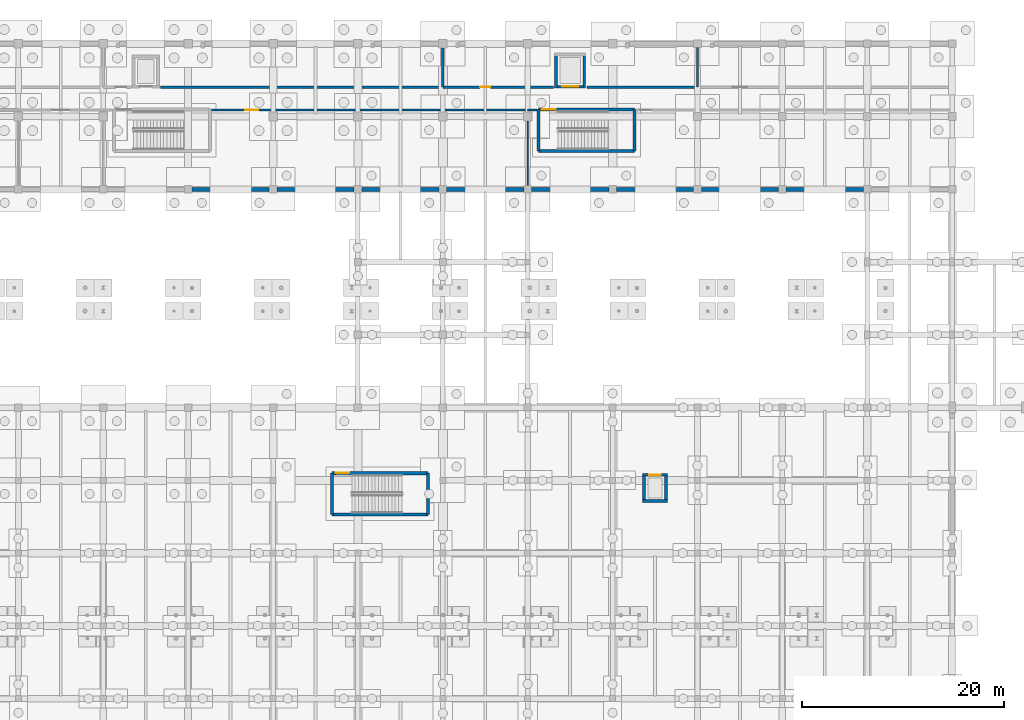
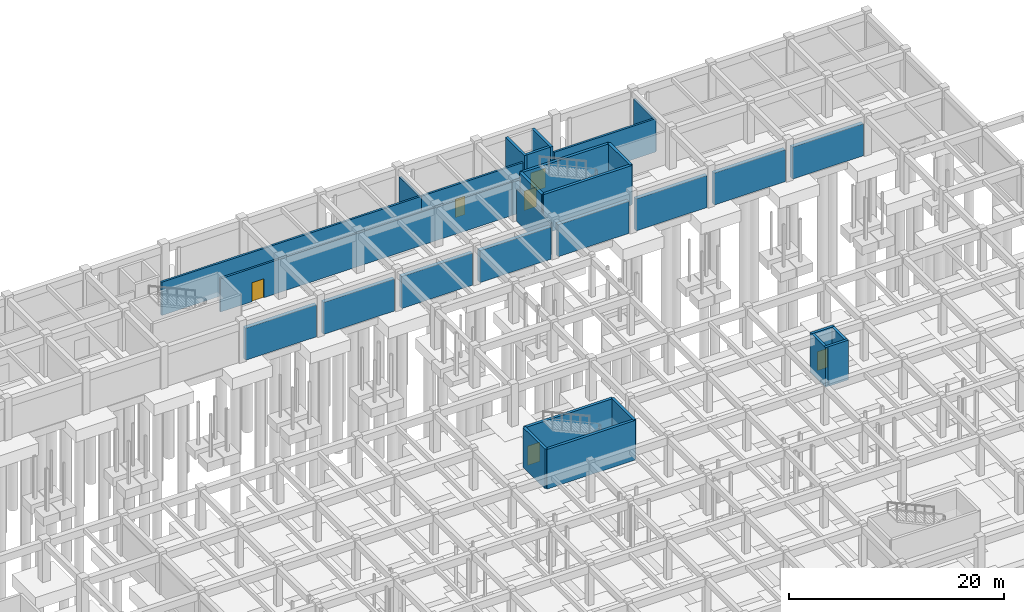
# One storey, part 62 of 80: 31 walls, 6 doors, 6 openings.
"""IFC4 building model written with IfcOpenShell, lengths in metres."""

from ifc_helpers import new_model, si_unit, direction, frame, frame_2d, origin, place, context, subcontext, project, spatial, rectangle, extrude, material, layer, layer_set, type_object, element, fill, save


model = new_model("IFC4")

# Units and contexts
model_context = context("Model", 3, precision=1e-05, world=origin(), true_north=direction((0.0, 1.0)))
body_context = subcontext(model_context, "Body", "Model", "MODEL_VIEW")
ifc_project = project(units=[si_unit("LENGTHUNIT", "METRE"), si_unit("AREAUNIT", "SQUARE_METRE"), si_unit("VOLUMEUNIT", "CUBIC_METRE"), si_unit("PLANEANGLEUNIT", "RADIAN"), si_unit("MASSUNIT", "GRAM", prefix="KILO")], contexts=[model_context])

# Site, building, storey
site_placement = place(None, origin())
site = spatial("IfcSite", under=ifc_project, at=site_placement, CompositionType="ELEMENT")
building_placement = place(site_placement, origin())
building = spatial("IfcBuilding", under=site, at=building_placement, Name="Malvenik Polytechnic", CompositionType="ELEMENT")
storey_placement = place(building_placement, frame((0.0, 0.0, -4.800048828125)))
storey = spatial("IfcBuildingStorey", under=building, at=storey_placement, Name="B1", CompositionType="ELEMENT", Elevation=-4.800048828125)

# Wall, opening, door
ifc_material_1 = material(Name="Concrete C35/45", Category="concrete")
ifc_layer_1 = layer(ifc_material_1, 0.280029296875)
ifc_layer_set_1 = layer_set([ifc_layer_1], Name="Concrete C35/45")
wall_type_1 = type_object("IfcWallType", Name="ARC-CW-S280", PredefinedType="SHEAR", material=ifc_layer_set_1)
wall_1_placement = place(storey_placement, frame((98.139892578125, 125.35009765625, 0.0), z_axis=(0.0, 0.0, 1.0), x_axis=(-1.0, 0.0, 0.0)))
wall_1 = element("IfcWall", 1, at=wall_1_placement, inside=storey, type_object=wall_type_1, Name="Lift Shaft Shear Wall LG-01 B1 -Y", PredefinedType="SHEAR", context=body_context, shape_type="SweptSolid", body=[
    extrude(rectangle(XDim=3.079833984375, YDim=0.280029296875, at=frame_2d((1.5400390625, 0.0))), origin(), (0.0, 0.0, 1.0), 4.5),
])
opening_1_placement = place(wall_1_placement, frame((0.739990234375, 0.0, 0.0)))
opening_1 = element("IfcOpeningElement", 2, at=opening_1_placement, cuts=wall_1, Name="Opening LD-03", PredefinedType="OPENING", context=body_context, shape_type="SweptSolid", body=[
    extrude(rectangle(XDim=1.60009765625, YDim=2.199951171875, at=frame_2d((0.800048828125, 1.10009765625))), frame((0.0, 0.14990234375, 0.0), z_axis=(0.0, -1.0, 0.0), x_axis=(1.0, 0.0, 0.0)), (0.0, 0.0, 1.0), 0.300048828125),
])
ifc_material_2 = material(Name="Stainless steel fire-rated sliding lift landing door", Category="steel")
door_type_1 = type_object("IfcDoorType", Name="ARC-LDR-LD-03", OperationType="NOTDEFINED", PredefinedType="DOOR", material=ifc_material_2)
door_1_placement = place(opening_1_placement, origin())
door_1 = element("IfcDoor", 3, at=door_1_placement, inside=storey, type_object=door_type_1, Name="Lift Sliding Landing Door LG-01 B1", OperationType="DOUBLE_DOOR_SLIDING", OverallHeight=2.199951171875, OverallWidth=1.60009765625, PredefinedType="DOOR", context=body_context, shape_type="SweptSolid", body=[
    extrude(rectangle(XDim=1.60009765625, YDim=2.199951171875, at=frame_2d((0.800048828125, 1.10009765625))), frame((0.0, 0.02490234375, 0.0), z_axis=(0.0, -1.0, 0.0), x_axis=(1.0, 0.0, 0.0)), (0.0, 0.0, 1.0), 0.050048828125),
])
fill(opening_1, door_1)

# Walls
for number, where, z_axis, x_axis, name in (
    (4, (95.199951171875, 125.2099609375, 0.0), (0.0, 0.0, 1.0), (0.0, 1.0, 0.0), "Lift Shaft Shear Wall LG-01 B1 -X"),
    (5, (98.0, 128.68994140625, 0.0), (0.0, 0.0, 1.0), (0.0, -1.0, 0.0), "Lift Shaft Shear Wall LG-01 B1 +X"),
):
    element("IfcWall", number, at=place(storey_placement, frame(where, z_axis=z_axis, x_axis=x_axis)), inside=storey, type_object=wall_type_1, Name=name, PredefinedType="SHEAR", context=body_context, shape_type="SweptSolid", body=[
        extrude(rectangle(XDim=3.47998046875, YDim=0.280029296875, at=frame_2d((1.739990234375, 0.0))), origin(), (0.0, 0.0, 1.0), 4.5),
    ])
wall_2_placement = place(storey_placement, frame((106.239990234375, 84.35009765625, 0.0), z_axis=(0.0, 0.0, 1.0), x_axis=(-1.0, 0.0, 0.0)))
element("IfcWall", 6, at=wall_2_placement, inside=storey, type_object=wall_type_1, Name="Lift Shaft Shear Wall LP-02 B1 -Y", PredefinedType="SHEAR", context=body_context, shape_type="SweptSolid", body=[
    extrude(rectangle(XDim=2.47998046875, YDim=0.280029296875, at=frame_2d((1.239990234375, 0.0))), origin(), (0.0, 0.0, 1.0), 4.5),
])

# Wall, opening, door
wall_3_placement = place(storey_placement, frame((103.760009765625, 86.949951171875, 0.0), z_axis=(0.0, 0.0, 1.0), x_axis=(1.0, 0.0, 0.0)))
wall_3 = element("IfcWall", 7, at=wall_3_placement, inside=storey, type_object=wall_type_1, Name="Lift Shaft Shear Wall LP-02 B1 +Y", PredefinedType="SHEAR", context=body_context, shape_type="SweptSolid", body=[
    extrude(rectangle(XDim=2.47998046875, YDim=0.280029296875, at=frame_2d((1.239990234375, 0.0))), origin(), (0.0, 0.0, 1.0), 4.5),
])
opening_2_placement = place(wall_3_placement, frame((0.68994140625, 0.0, 0.0)))
opening_2 = element("IfcOpeningElement", 8, at=opening_2_placement, cuts=wall_3, Name="Opening LD-01", PredefinedType="OPENING", context=body_context, shape_type="SweptSolid", body=[
    extrude(rectangle(XDim=1.10009765625, YDim=2.14990234375, at=frame_2d((0.550048828125, 1.074951171875))), frame((0.0, 0.14990234375, 0.0), z_axis=(0.0, -1.0, 0.0), x_axis=(1.0, 0.0, 0.0)), (0.0, 0.0, 1.0), 0.300048828125),
])
door_type_2 = type_object("IfcDoorType", Name="ARC-LDR-LD-01", OperationType="NOTDEFINED", PredefinedType="DOOR", material=ifc_material_2)
door_2_placement = place(opening_2_placement, origin())
door_2 = element("IfcDoor", 9, at=door_2_placement, inside=storey, type_object=door_type_2, Name="Lift Sliding Landing Door LP-02 B1", OperationType="DOUBLE_DOOR_SLIDING", OverallHeight=2.14990234375, OverallWidth=1.10009765625, PredefinedType="DOOR", context=body_context, shape_type="SweptSolid", body=[
    extrude(rectangle(XDim=1.10009765625, YDim=2.14990234375, at=frame_2d((0.550048828125, 1.074951171875))), frame((0.0, 0.02490234375, 0.0), z_axis=(0.0, -1.0, 0.0), x_axis=(1.0, 0.0, 0.0)), (0.0, 0.0, 1.0), 0.050048828125),
])
fill(opening_2, door_2)

# Walls
for number, where, z_axis, x_axis, name in (
    (10, (103.89990234375, 84.2099609375, 0.0), (0.0, 0.0, 1.0), (0.0, 1.0, 0.0), "Lift Shaft Shear Wall LP-02 B1 -X"),
    (11, (106.10009765625, 87.090087890625, 0.0), (0.0, 0.0, 1.0), (0.0, -1.0, 0.0), "Lift Shaft Shear Wall LP-02 B1 +X"),
):
    element("IfcWall", number, at=place(storey_placement, frame(where, z_axis=z_axis, x_axis=x_axis)), inside=storey, type_object=wall_type_1, Name=name, PredefinedType="SHEAR", context=body_context, shape_type="SweptSolid", body=[
        extrude(rectangle(XDim=2.880126953125, YDim=0.280029296875, at=frame_2d((1.43994140625, 0.0))), origin(), (0.0, 0.0, 1.0), 4.5),
    ])
ifc_layer_2 = layer(ifc_material_1, 0.300048828125)
ifc_layer_set_2 = layer_set([ifc_layer_2], Name="Concrete C35/45")
wall_type_2 = type_object("IfcWallType", Name="ARC-CW-S300", PredefinedType="SHEAR", material=ifc_layer_set_2)
wall_4_placement = place(storey_placement, frame((93.449951171875, 119.0, 0.0), z_axis=(0.0, 0.0, 1.0), x_axis=(0.0, 1.0, 0.0)))
element("IfcWall", 12, at=wall_4_placement, inside=storey, type_object=wall_type_2, Name="Stair Core Shear Wall ST-03 B1 NEAR", PredefinedType="SHEAR", context=body_context, shape_type="SweptSolid", body=[
    extrude(rectangle(XDim=4.10009765625, YDim=0.300048828125, at=frame_2d((2.050048828125, 0.0))), origin(), (0.0, 0.0, 1.0), 4.5),
])

# Wall, opening, door
wall_5_placement = place(storey_placement, frame((93.449951171875, 123.10009765625, 0.0), z_axis=(0.0, 0.0, 1.0), x_axis=(1.0, 0.0, 0.0)))
wall_5 = element("IfcWall", 13, at=wall_5_placement, inside=storey, type_object=wall_type_2, Name="Stair Core Shear Wall ST-03 B1 RGHT", PredefinedType="SHEAR", context=body_context, shape_type="SweptSolid", body=[
    extrude(rectangle(XDim=9.5, YDim=0.300048828125, at=frame_2d((4.75, 0.0))), origin(), (0.0, 0.0, 1.0), 4.5),
])
opening_3_placement = place(wall_5_placement, frame((0.35009765625, 0.0, 0.0)))
opening_3 = element("IfcOpeningElement", 14, at=opening_3_placement, cuts=wall_5, Name="Opening SD-01", PredefinedType="OPENING", context=body_context, shape_type="SweptSolid", body=[
    extrude(rectangle(XDim=1.35009765625, YDim=2.199951171875, at=frame_2d((0.675048828125, 1.10009765625))), frame((0.0, 0.16015625, 0.0), z_axis=(0.0, -1.0, 0.0), x_axis=(1.0, 0.0, 0.0)), (0.0, 0.0, 1.0), 0.320068359375),
])
ifc_material_3 = material(Name="Fire-rated steel stair enclosure door", Category="steel")
door_type_3 = type_object("IfcDoorType", Name="ARC-IDR-SD-01", OperationType="NOTDEFINED", PredefinedType="DOOR", material=ifc_material_3)
door_3_placement = place(opening_3_placement, origin())
door_3 = element("IfcDoor", 15, at=door_3_placement, inside=storey, type_object=door_type_3, Name="Fire Stair Door ST-03 B1", OperationType="SINGLE_SWING_RIGHT", OverallHeight=2.199951171875, OverallWidth=1.35009765625, PredefinedType="DOOR", context=body_context, shape_type="SweptSolid", body=[
    extrude(rectangle(XDim=1.35009765625, YDim=2.199951171875, at=frame_2d((0.675048828125, 1.10009765625))), frame((0.0, 0.02490234375, 0.0), z_axis=(0.0, -1.0, 0.0), x_axis=(1.0, 0.0, 0.0)), (0.0, 0.0, 1.0), 0.050048828125),
])
fill(opening_3, door_3)

# Walls
wall_6_placement = place(storey_placement, frame((102.949951171875, 123.10009765625, 0.0), z_axis=(0.0, 0.0, 1.0), x_axis=(0.0, -1.0, 0.0)))
element("IfcWall", 16, at=wall_6_placement, inside=storey, type_object=wall_type_2, Name="Stair Core Shear Wall ST-03 B1 FAR", PredefinedType="SHEAR", context=body_context, shape_type="SweptSolid", body=[
    extrude(rectangle(XDim=4.10009765625, YDim=0.300048828125, at=frame_2d((2.050048828125, 0.0))), origin(), (0.0, 0.0, 1.0), 4.5),
])
wall_7_placement = place(storey_placement, frame((102.949951171875, 119.0, 0.0), z_axis=(0.0, 0.0, 1.0), x_axis=(-1.0, 0.0, 0.0)))
element("IfcWall", 17, at=wall_7_placement, inside=storey, type_object=wall_type_2, Name="Stair Core Shear Wall ST-03 B1 LEFT", PredefinedType="SHEAR", context=body_context, shape_type="SweptSolid", body=[
    extrude(rectangle(XDim=9.5, YDim=0.300048828125, at=frame_2d((4.75, 0.0))), origin(), (0.0, 0.0, 1.0), 4.5),
])
wall_8_placement = place(storey_placement, frame((73.050048828125, 83.0, 0.0), z_axis=(0.0, 0.0, 1.0), x_axis=(0.0, 1.0, 0.0)))
element("IfcWall", 18, at=wall_8_placement, inside=storey, type_object=wall_type_2, Name="Stair Core Shear Wall ST-05 B1 NEAR", PredefinedType="SHEAR", context=body_context, shape_type="SweptSolid", body=[
    extrude(rectangle(XDim=4.10009765625, YDim=0.300048828125, at=frame_2d((2.050048828125, 0.0))), origin(), (0.0, 0.0, 1.0), 4.5),
])

# Wall, opening, door
wall_9_placement = place(storey_placement, frame((73.050048828125, 87.10009765625, 0.0), z_axis=(0.0, 0.0, 1.0), x_axis=(1.0, 0.0, 0.0)))
wall_9 = element("IfcWall", 19, at=wall_9_placement, inside=storey, type_object=wall_type_2, Name="Stair Core Shear Wall ST-05 B1 RGHT", PredefinedType="SHEAR", context=body_context, shape_type="SweptSolid", body=[
    extrude(rectangle(XDim=9.5, YDim=0.300048828125, at=frame_2d((4.75, 0.0))), origin(), (0.0, 0.0, 1.0), 4.5),
])
opening_4_placement = place(wall_9_placement, frame((0.35009765625, 0.0, 0.0)))
opening_4 = element("IfcOpeningElement", 20, at=opening_4_placement, cuts=wall_9, Name="Opening SD-01", PredefinedType="OPENING", context=body_context, shape_type="SweptSolid", body=[
    extrude(rectangle(XDim=1.35009765625, YDim=2.199951171875, at=frame_2d((0.675048828125, 1.10009765625))), frame((0.0, 0.16015625, 0.0), z_axis=(0.0, -1.0, 0.0), x_axis=(1.0, 0.0, 0.0)), (0.0, 0.0, 1.0), 0.320068359375),
])
door_4_placement = place(opening_4_placement, origin())
door_4 = element("IfcDoor", 21, at=door_4_placement, inside=storey, type_object=door_type_3, Name="Fire Stair Door ST-05 B1", OperationType="SINGLE_SWING_LEFT", OverallHeight=2.199951171875, OverallWidth=1.35009765625, PredefinedType="DOOR", context=body_context, shape_type="SweptSolid", body=[
    extrude(rectangle(XDim=1.35009765625, YDim=2.199951171875, at=frame_2d((0.675048828125, 1.10009765625))), frame((0.0, 0.02490234375, 0.0), z_axis=(0.0, -1.0, 0.0), x_axis=(1.0, 0.0, 0.0)), (0.0, 0.0, 1.0), 0.050048828125),
])
fill(opening_4, door_4)

# Walls
wall_10_placement = place(storey_placement, frame((82.550048828125, 87.10009765625, 0.0), z_axis=(0.0, 0.0, 1.0), x_axis=(0.0, -1.0, 0.0)))
element("IfcWall", 22, at=wall_10_placement, inside=storey, type_object=wall_type_2, Name="Stair Core Shear Wall ST-05 B1 FAR", PredefinedType="SHEAR", context=body_context, shape_type="SweptSolid", body=[
    extrude(rectangle(XDim=4.10009765625, YDim=0.300048828125, at=frame_2d((2.050048828125, 0.0))), origin(), (0.0, 0.0, 1.0), 4.5),
])
wall_11_placement = place(storey_placement, frame((82.550048828125, 83.0, 0.0), z_axis=(0.0, 0.0, 1.0), x_axis=(-1.0, 0.0, 0.0)))
element("IfcWall", 23, at=wall_11_placement, inside=storey, type_object=wall_type_2, Name="Stair Core Shear Wall ST-05 B1 LEFT", PredefinedType="SHEAR", context=body_context, shape_type="SweptSolid", body=[
    extrude(rectangle(XDim=9.5, YDim=0.300048828125, at=frame_2d((4.75, 0.0))), origin(), (0.0, 0.0, 1.0), 4.5),
])
ifc_material_4 = material(Name="Autoclaved aerated concrete blockwork 220mm", Category="masonry")
ifc_layer_3 = layer(ifc_material_4, 0.219970703125)
ifc_layer_set_3 = layer_set([ifc_layer_3], Name="Autoclaved aerated concrete blockwork 220mm")
wall_type_3 = type_object("IfcWallType", Name="ARC-FW-220", PredefinedType="SOLIDWALL", material=ifc_layer_set_3)
wall_12_placement = place(storey_placement, frame((56.070068359375, 125.300048828125, 0.0), z_axis=(0.0, 0.0, 1.0), x_axis=(1.0, 0.0, 0.0)))
element("IfcWall", 24, at=wall_12_placement, inside=storey, type_object=wall_type_3, Name="Interior Partition FW-01 B1 #7", PredefinedType="SOLIDWALL", context=body_context, shape_type="SweptSolid", body=[
    extrude(rectangle(XDim=27.929931640625, YDim=0.219970703125, at=frame_2d((13.96484375, 0.0))), origin(), (0.0, 0.0, 1.0), 3.78515625),
])
wall_13_placement = place(storey_placement, frame((84.0, 125.300048828125, 0.0), z_axis=(0.0, 0.0, 1.0), x_axis=(0.0, 1.0, 0.0)))
element("IfcWall", 25, at=wall_13_placement, inside=storey, type_object=wall_type_3, Name="Interior Partition FW-01 B1 #8", PredefinedType="SOLIDWALL", context=body_context, shape_type="SweptSolid", body=[
    extrude(rectangle(XDim=3.85498046875, YDim=0.219970703125, at=frame_2d((1.927490234375, 0.0))), origin(), (0.0, 0.0, 1.0), 3.635009765625),
])

# Wall, opening, door
wall_14_placement = place(storey_placement, frame((84.0, 125.300048828125, 0.0), z_axis=(0.0, 0.0, 1.0), x_axis=(1.0, 0.0, 0.0)))
wall_14 = element("IfcWall", 26, at=wall_14_placement, inside=storey, type_object=wall_type_3, Name="Interior Partition FW-01 B1 #9", PredefinedType="SOLIDWALL", context=body_context, shape_type="SweptSolid", body=[
    extrude(rectangle(XDim=10.929931640625, YDim=0.219970703125, at=frame_2d((5.46484375, 0.0))), origin(), (0.0, 0.0, 1.0), 3.78515625),
])
opening_5_placement = place(wall_14_placement, frame((3.699951171875, 0.0, 0.0)))
opening_5 = element("IfcOpeningElement", 27, at=opening_5_placement, cuts=wall_14, Name="Opening FD-07", PredefinedType="OPENING", context=body_context, shape_type="SweptSolid", body=[
    extrude(rectangle(XDim=1.0, YDim=2.10009765625, at=frame_2d((0.5, 1.050048828125))), frame((0.0, 0.1201171875, 0.0), z_axis=(0.0, -1.0, 0.0), x_axis=(1.0, 0.0, 0.0)), (0.0, 0.0, 1.0), 0.239990234375),
])
ifc_material_5 = material(Name="Fire-rated washroom corridor door", Category="steel")
door_type_4 = type_object("IfcDoorType", Name="ARC-IDR-FD-07", OperationType="NOTDEFINED", PredefinedType="DOOR", material=ifc_material_5)
door_5_placement = place(opening_5_placement, origin())
door_5 = element("IfcDoor", 28, at=door_5_placement, inside=storey, type_object=door_type_4, Name="Interior Door FD-07 B1 #4", OperationType="SINGLE_SWING_LEFT", OverallHeight=2.10009765625, OverallWidth=1.0, PredefinedType="DOOR", context=body_context, shape_type="SweptSolid", body=[
    extrude(rectangle(XDim=1.0, YDim=2.10009765625, at=frame_2d((0.5, 1.050048828125))), frame((0.0, 0.02490234375, 0.0), z_axis=(0.0, -1.0, 0.0), x_axis=(1.0, 0.0, 0.0)), (0.0, 0.0, 1.0), 0.050048828125),
])
fill(opening_5, door_5)

# Walls
wall_15_placement = place(storey_placement, frame((98.27001953125, 125.300048828125, 0.0), z_axis=(0.0, 0.0, 1.0), x_axis=(1.0, 0.0, 0.0)))
element("IfcWall", 29, at=wall_15_placement, inside=storey, type_object=wall_type_3, Name="Interior Partition FW-01 B1 #10", PredefinedType="SOLIDWALL", context=body_context, shape_type="SweptSolid", body=[
    extrude(rectangle(XDim=10.929931640625, YDim=0.219970703125, at=frame_2d((5.46484375, 0.0))), origin(), (0.0, 0.0, 1.0), 3.78515625),
])
wall_16_placement = place(storey_placement, frame((109.199951171875, 125.300048828125, 0.0), z_axis=(0.0, 0.0, 1.0), x_axis=(0.0, 1.0, 0.0)))
element("IfcWall", 30, at=wall_16_placement, inside=storey, type_object=wall_type_3, Name="Interior Partition FW-01 B1 #11", PredefinedType="SOLIDWALL", context=body_context, shape_type="SweptSolid", body=[
    extrude(rectangle(XDim=3.905029296875, YDim=0.219970703125, at=frame_2d((1.95263671875, 0.0))), origin(), (0.0, 0.0, 1.0), 3.635009765625),
])

# Wall, opening, door
wall_17_placement = place(storey_placement, frame((92.39990234375, 123.050048828125, 0.0), z_axis=(0.0, 0.0, 1.0), x_axis=(-1.0, 0.0, 0.0)))
wall_17 = element("IfcWall", 31, at=wall_17_placement, inside=storey, type_object=wall_type_3, Name="Interior Partition FW-01 B1 #22", PredefinedType="SOLIDWALL", context=body_context, shape_type="SweptSolid", body=[
    extrude(rectangle(XDim=31.309814453125, YDim=0.219970703125, at=frame_2d((15.65478515625, 0.0))), origin(), (0.0, 0.0, 1.0), 3.78515625),
])
opening_6_placement = place(wall_17_placement, frame((26.64990234375, 0.0, 0.0)))
opening_6 = element("IfcOpeningElement", 32, at=opening_6_placement, cuts=wall_17, Name="Opening FD-04", PredefinedType="OPENING", context=body_context, shape_type="SweptSolid", body=[
    extrude(rectangle(XDim=1.300048828125, YDim=2.14990234375, at=frame_2d((0.64990234375, 1.074951171875))), frame((0.0, 0.1201171875, 0.0), z_axis=(0.0, -1.0, 0.0), x_axis=(1.0, 0.0, 0.0)), (0.0, 0.0, 1.0), 0.239990234375),
])
ifc_material_6 = material(Name="Fire-rated plant room steel door", Category="steel")
door_type_5 = type_object("IfcDoorType", Name="ARC-IDR-FD-04", OperationType="NOTDEFINED", PredefinedType="DOOR", material=ifc_material_6)
door_6_placement = place(opening_6_placement, origin())
door_6 = element("IfcDoor", 33, at=door_6_placement, inside=storey, type_object=door_type_5, Name="Interior Door FD-04 B1 #10", OperationType="SINGLE_SWING_LEFT", OverallHeight=2.14990234375, OverallWidth=1.300048828125, PredefinedType="DOOR", context=body_context, shape_type="SweptSolid", body=[
    extrude(rectangle(XDim=1.300048828125, YDim=2.14990234375, at=frame_2d((0.64990234375, 1.074951171875))), frame((0.0, 0.02490234375, 0.0), z_axis=(0.0, -1.0, 0.0), x_axis=(1.0, 0.0, 0.0)), (0.0, 0.0, 1.0), 0.050048828125),
])
fill(opening_6, door_6)

# Walls
wall_18_placement = place(storey_placement, frame((93.31005859375, 123.050048828125, 0.0), z_axis=(0.0, 0.0, 1.0), x_axis=(-1.0, 0.0, 0.0)))
element("IfcWall", 34, at=wall_18_placement, inside=storey, type_object=wall_type_3, Name="Interior Partition FW-01 B1 #26", PredefinedType="SOLIDWALL", context=body_context, shape_type="SweptSolid", body=[
    extrude(rectangle(XDim=0.91015625, YDim=0.219970703125, at=frame_2d((0.455078125, 0.0))), origin(), (0.0, 0.0, 1.0), 3.78515625),
])
ifc_material_7 = material(Name="Acoustic metal-stud gypsum partition 140mm", Category="gypsum")
ifc_layer_4 = layer(ifc_material_7, 0.139892578125)
ifc_layer_set_4 = layer_set([ifc_layer_4], Name="Acoustic metal-stud gypsum partition 140mm")
wall_type_4 = type_object("IfcWallType", Name="ARC-PW-140", PredefinedType="PARTITIONING", material=ifc_layer_set_4)
wall_19_placement = place(storey_placement, frame((92.39990234375, 115.594970703125, 0.0), z_axis=(0.0, 0.0, 1.0), x_axis=(0.0, 1.0, 0.0)))
element("IfcWall", 35, at=wall_19_placement, inside=storey, type_object=wall_type_4, Name="Interior Partition PW-02I B1 #24", PredefinedType="PARTITIONING", context=body_context, shape_type="SweptSolid", body=[
    extrude(rectangle(XDim=6.360107421875, YDim=0.139892578125, at=frame_2d((3.18017578125, 0.0))), origin(), (0.0, 0.0, 1.0), 3.635009765625),
])
ifc_layer_5 = layer(ifc_material_1, 0.39990234375)
ifc_layer_set_5 = layer_set([ifc_layer_5], Name="Concrete C35/45")
wall_type_5 = type_object("IfcWallType", Name="STR-WL-RET-400", PredefinedType="SHEAR", material=ifc_layer_set_5)
wall_20_placement = place(storey_placement, frame((59.179931640625, 115.199951171875, 0.0), z_axis=(0.0, 0.0, 1.0), x_axis=(1.0, 0.0, 0.0)))
element("IfcWall", 36, at=wall_20_placement, inside=storey, type_object=wall_type_5, Name="Basement Retaining Wall RW-400 #26", PredefinedType="SHEAR", context=body_context, shape_type="SweptSolid", body=[
    extrude(rectangle(XDim=7.64013671875, YDim=0.39990234375, at=frame_2d((3.820068359375, 0.0))), origin(), (0.0, 0.0, 1.0), 3.64013671875),
])
wall_21_placement = place(storey_placement, frame((67.580078125, 115.199951171875, 0.0), z_axis=(0.0, 0.0, 1.0), x_axis=(1.0, 0.0, 0.0)))
element("IfcWall", 37, at=wall_21_placement, inside=storey, type_object=wall_type_5, Name="Basement Retaining Wall RW-400 #27", PredefinedType="SHEAR", context=body_context, shape_type="SweptSolid", body=[
    extrude(rectangle(XDim=7.639892578125, YDim=0.39990234375, at=frame_2d((3.81982421875, 0.0))), origin(), (0.0, 0.0, 1.0), 3.64013671875),
])
for number, where, z_axis, x_axis, name in (
    (38, (75.97998046875, 115.199951171875, 0.0), (0.0, 0.0, 1.0), (1.0, 0.0, 0.0), "Basement Retaining Wall RW-400 #28"),
    (39, (84.3798828125, 115.199951171875, 0.0), (0.0, 0.0, 1.0), (1.0, 0.0, 0.0), "Basement Retaining Wall RW-400 #29"),
):
    element("IfcWall", number, at=place(storey_placement, frame(where, z_axis=z_axis, x_axis=x_axis)), inside=storey, type_object=wall_type_5, Name=name, PredefinedType="SHEAR", context=body_context, shape_type="SweptSolid", body=[
        extrude(rectangle(XDim=7.64013671875, YDim=0.39990234375, at=frame_2d((3.820068359375, 0.0))), origin(), (0.0, 0.0, 1.0), 3.64013671875),
    ])
wall_22_placement = place(storey_placement, frame((92.780029296875, 115.199951171875, 0.0), z_axis=(0.0, 0.0, 1.0), x_axis=(1.0, 0.0, 0.0)))
element("IfcWall", 40, at=wall_22_placement, inside=storey, type_object=wall_type_5, Name="Basement Retaining Wall RW-400 #30", PredefinedType="SHEAR", context=body_context, shape_type="SweptSolid", body=[
    extrude(rectangle(XDim=7.639892578125, YDim=0.39990234375, at=frame_2d((3.81982421875, 0.0))), origin(), (0.0, 0.0, 1.0), 3.64013671875),
])
wall_23_placement = place(storey_placement, frame((101.179931640625, 115.199951171875, 0.0), z_axis=(0.0, 0.0, 1.0), x_axis=(1.0, 0.0, 0.0)))
element("IfcWall", 41, at=wall_23_placement, inside=storey, type_object=wall_type_5, Name="Basement Retaining Wall RW-400 #31", PredefinedType="SHEAR", context=body_context, shape_type="SweptSolid", body=[
    extrude(rectangle(XDim=7.64013671875, YDim=0.39990234375, at=frame_2d((3.820068359375, 0.0))), origin(), (0.0, 0.0, 1.0), 3.64013671875),
])
wall_24_placement = place(storey_placement, frame((109.580078125, 115.199951171875, 0.0), z_axis=(0.0, 0.0, 1.0), x_axis=(1.0, 0.0, 0.0)))
element("IfcWall", 42, at=wall_24_placement, inside=storey, type_object=wall_type_5, Name="Basement Retaining Wall RW-400 #32", PredefinedType="SHEAR", context=body_context, shape_type="SweptSolid", body=[
    extrude(rectangle(XDim=7.639892578125, YDim=0.39990234375, at=frame_2d((3.81982421875, 0.0))), origin(), (0.0, 0.0, 1.0), 3.64013671875),
])
wall_25_placement = place(storey_placement, frame((117.97998046875, 115.199951171875, 0.0), z_axis=(0.0, 0.0, 1.0), x_axis=(1.0, 0.0, 0.0)))
element("IfcWall", 43, at=wall_25_placement, inside=storey, type_object=wall_type_5, Name="Basement Retaining Wall RW-400 #33", PredefinedType="SHEAR", context=body_context, shape_type="SweptSolid", body=[
    extrude(rectangle(XDim=7.64013671875, YDim=0.39990234375, at=frame_2d((3.820068359375, 0.0))), origin(), (0.0, 0.0, 1.0), 3.64013671875),
])

save(model, "model.ifc")
